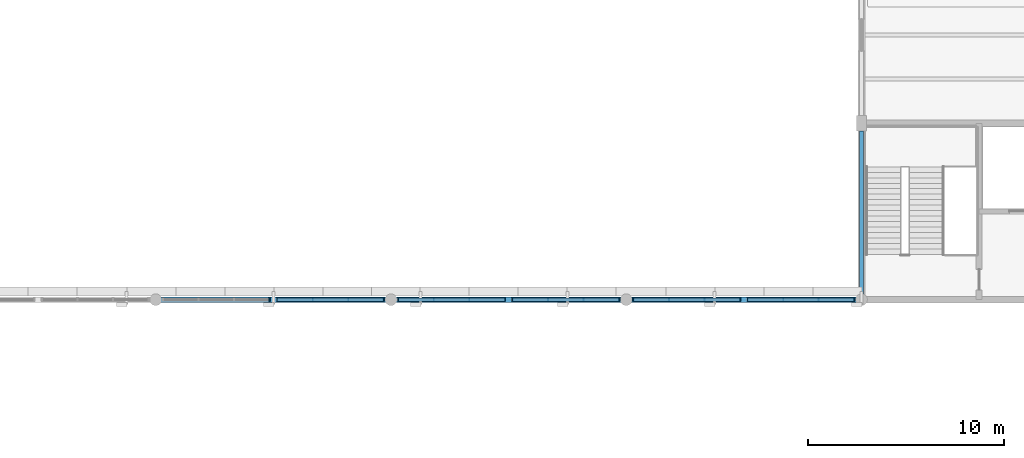
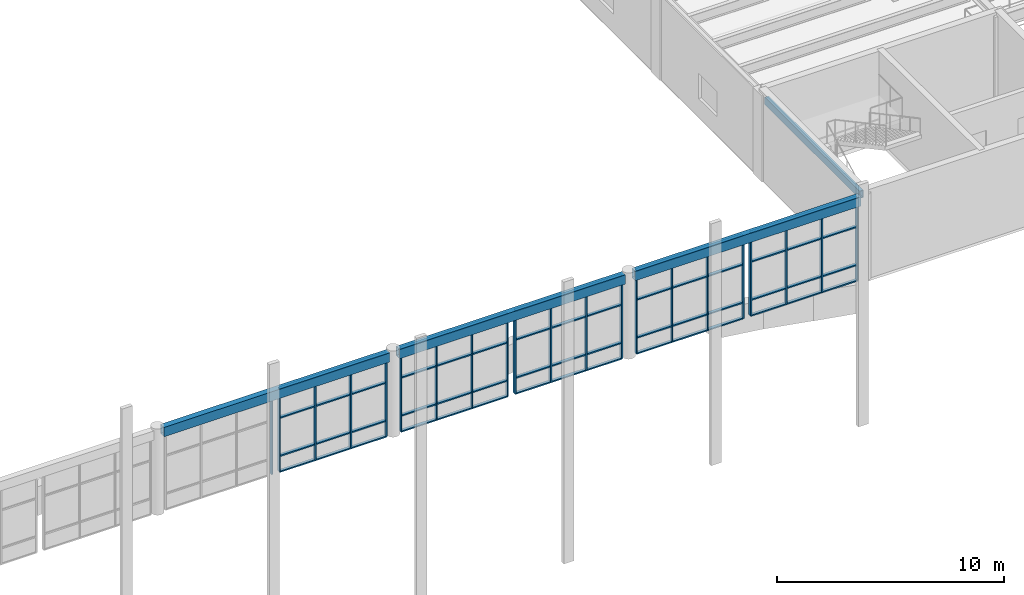
# One storey, part 21 of 63: 41 members, 4 beams, 6 elements without a shape of their own.
"""IFC4 building model written with IfcOpenShell, lengths in metres."""

from ifc_helpers import new_model, si_unit, direction, frame, origin, origin_2d, place, context, subcontext, project, spatial, rectangle, hollow_rectangle, extrude, material, layer, layer_set, material_profile, profile_set, type_object, element, aggregate, save


model = new_model("IFC4")

# Units and contexts
model_context = context("Model", 3, precision=1e-05, world=origin(), true_north=direction((0.0, 1.0)))
body_context = subcontext(model_context, "Body", "Model", "MODEL_VIEW")
ifc_project = project(units=[si_unit("LENGTHUNIT", "METRE"), si_unit("AREAUNIT", "SQUARE_METRE"), si_unit("VOLUMEUNIT", "CUBIC_METRE"), si_unit("PLANEANGLEUNIT", "RADIAN"), si_unit("MASSUNIT", "GRAM", prefix="KILO")], contexts=[model_context])

# Site, building, storey
site_placement = place(None, origin())
site = spatial("IfcSite", under=ifc_project, at=site_placement, CompositionType="ELEMENT")
building_placement = place(site_placement, origin())
building = spatial("IfcBuilding", under=site, at=building_placement, Name="Keelwater Ferry Terminal", CompositionType="ELEMENT")
storey_placement = place(building_placement, frame((0.0, 0.0, 10.199951171875)))
storey = spatial("IfcBuildingStorey", under=building, at=storey_placement, Name="L02", CompositionType="ELEMENT", Elevation=10.199951171875)

# Curtain wall, member
ifc_material_1 = material(Name="Thermally broken unitised aluminium and triple glass", Category="aluminium")
ifc_layer = layer(ifc_material_1, 0.179931640625)
ifc_layer_set = layer_set([ifc_layer], Name="Thermally broken unitised aluminium and triple glass")
curtain_wall_type = type_object("IfcCurtainWallType", Name="CW-07 Unitised Curtain Wall 5430x4450", PredefinedType="USERDEFINED", material=ifc_layer_set)
curtain_wall_1_placement = place(storey_placement, origin())
curtain_wall_1 = element("IfcCurtainWall", 1, at=curtain_wall_1_placement, inside=storey, type_object=curtain_wall_type, Name="Unitised Curtain Wall CW-L02-041", ObjectType="UNITISED CURTAIN WALL", PredefinedType="USERDEFINED")
ifc_material_2 = material(Name="Aluminium mullion", Category="aluminium")
ifc_material_profile_1 = material_profile(ifc_material_2, rectangle(XDim=0.06494140625, YDim=0.179931640625, at=origin_2d()), Name="CWM-01")
ifc_profile_set_1 = profile_set([ifc_material_profile_1], Name="Aluminium mullion")
member_type_1 = type_object("IfcMemberType", Name="CWM-01 Curtain Mullion 65x180", PredefinedType="MULLION", material=ifc_profile_set_1)
member_1_placement = place(storey_placement, frame((77.804931640625, 90.0, 0.0), z_axis=(0.0, 0.0, 1.0), x_axis=(1.0, 0.0, 0.0)))
member_1 = element("IfcMember", 2, at=member_1_placement, type_object=member_type_1, Name="CW-L02-041 Mullion 4", PredefinedType="MULLION", context=body_context, shape_type="SweptSolid", body=[
    extrude(rectangle(XDim=0.06494140625, YDim=0.179931640625, at=origin_2d()), origin(), (0.0, 0.0, 1.0), 4.449951171875),
])
aggregate(curtain_wall_1, [member_1])

# Curtain wall, members
curtain_wall_2_placement = place(storey_placement, origin())
curtain_wall_2 = element("IfcCurtainWall", 3, at=curtain_wall_2_placement, inside=storey, type_object=curtain_wall_type, Name="Unitised Curtain Wall CW-L02-042", ObjectType="UNITISED CURTAIN WALL", PredefinedType="USERDEFINED")
member_2_placement = place(storey_placement, frame((78.195068359375, 90.0, 0.0), z_axis=(0.0, 0.0, 1.0), x_axis=(1.0, 0.0, 0.0)))
member_2 = element("IfcMember", 4, at=member_2_placement, type_object=member_type_1, Name="CW-L02-042 Mullion 1", PredefinedType="MULLION", context=body_context, shape_type="SweptSolid", body=[
    extrude(rectangle(XDim=0.06494140625, YDim=0.179931640625, at=origin_2d()), origin(), (0.0, 0.0, 1.0), 4.449951171875),
])
member_3_placement = place(storey_placement, frame((80.0048828125, 90.0, 0.0), z_axis=(0.0, 0.0, 1.0), x_axis=(1.0, 0.0, 0.0)))
member_3 = element("IfcMember", 5, at=member_3_placement, type_object=member_type_1, Name="CW-L02-042 Mullion 2", PredefinedType="MULLION", context=body_context, shape_type="SweptSolid", body=[
    extrude(rectangle(XDim=0.06494140625, YDim=0.179931640625, at=origin_2d()), origin(), (0.0, 0.0, 1.0), 4.449951171875),
])
member_4_placement = place(storey_placement, frame((81.81494140625, 90.0, 0.0), z_axis=(0.0, 0.0, 1.0), x_axis=(1.0, 0.0, 0.0)))
member_4 = element("IfcMember", 6, at=member_4_placement, type_object=member_type_1, Name="CW-L02-042 Mullion 3", PredefinedType="MULLION", context=body_context, shape_type="SweptSolid", body=[
    extrude(rectangle(XDim=0.06494140625, YDim=0.179931640625, at=origin_2d()), origin(), (0.0, 0.0, 1.0), 4.449951171875),
])
member_5_placement = place(storey_placement, frame((83.625, 90.0, 0.0), z_axis=(0.0, 0.0, 1.0), x_axis=(1.0, 0.0, 0.0)))
member_5 = element("IfcMember", 7, at=member_5_placement, type_object=member_type_1, Name="CW-L02-042 Mullion 4", PredefinedType="MULLION", context=body_context, shape_type="SweptSolid", body=[
    extrude(rectangle(XDim=0.06494140625, YDim=0.179931640625, at=origin_2d()), origin(), (0.0, 0.0, 1.0), 4.449951171875),
])

curtain_wall_3_placement = place(storey_placement, origin())
curtain_wall_3 = element("IfcCurtainWall", 8, at=curtain_wall_3_placement, inside=storey, type_object=curtain_wall_type, Name="Unitised Curtain Wall CW-L02-043", ObjectType="UNITISED CURTAIN WALL", PredefinedType="USERDEFINED")
member_6_placement = place(storey_placement, frame((84.375, 90.0, 0.0), z_axis=(0.0, 0.0, 1.0), x_axis=(1.0, 0.0, 0.0)))
member_6 = element("IfcMember", 9, at=member_6_placement, type_object=member_type_1, Name="CW-L02-043 Mullion 1", PredefinedType="MULLION", context=body_context, shape_type="SweptSolid", body=[
    extrude(rectangle(XDim=0.06494140625, YDim=0.179931640625, at=origin_2d()), origin(), (0.0, 0.0, 1.0), 4.449951171875),
])
member_7_placement = place(storey_placement, frame((86.18505859375, 90.0, 0.0), z_axis=(0.0, 0.0, 1.0), x_axis=(1.0, 0.0, 0.0)))
member_7 = element("IfcMember", 10, at=member_7_placement, type_object=member_type_1, Name="CW-L02-043 Mullion 2", PredefinedType="MULLION", context=body_context, shape_type="SweptSolid", body=[
    extrude(rectangle(XDim=0.06494140625, YDim=0.179931640625, at=origin_2d()), origin(), (0.0, 0.0, 1.0), 4.449951171875),
])
member_8_placement = place(storey_placement, frame((87.9951171875, 90.0, 0.0), z_axis=(0.0, 0.0, 1.0), x_axis=(1.0, 0.0, 0.0)))
member_8 = element("IfcMember", 11, at=member_8_placement, type_object=member_type_1, Name="CW-L02-043 Mullion 3", PredefinedType="MULLION", context=body_context, shape_type="SweptSolid", body=[
    extrude(rectangle(XDim=0.06494140625, YDim=0.179931640625, at=origin_2d()), origin(), (0.0, 0.0, 1.0), 4.449951171875),
])
member_9_placement = place(storey_placement, frame((89.804931640625, 90.0, 0.0), z_axis=(0.0, 0.0, 1.0), x_axis=(1.0, 0.0, 0.0)))
member_9 = element("IfcMember", 12, at=member_9_placement, type_object=member_type_1, Name="CW-L02-043 Mullion 4", PredefinedType="MULLION", context=body_context, shape_type="SweptSolid", body=[
    extrude(rectangle(XDim=0.06494140625, YDim=0.179931640625, at=origin_2d()), origin(), (0.0, 0.0, 1.0), 4.449951171875),
])

curtain_wall_4_placement = place(storey_placement, origin())
curtain_wall_4 = element("IfcCurtainWall", 13, at=curtain_wall_4_placement, inside=storey, type_object=curtain_wall_type, Name="Unitised Curtain Wall CW-L02-044", ObjectType="UNITISED CURTAIN WALL", PredefinedType="USERDEFINED")
member_10_placement = place(storey_placement, frame((90.195068359375, 90.0, 0.0), z_axis=(0.0, 0.0, 1.0), x_axis=(1.0, 0.0, 0.0)))
member_10 = element("IfcMember", 14, at=member_10_placement, type_object=member_type_1, Name="CW-L02-044 Mullion 1", PredefinedType="MULLION", context=body_context, shape_type="SweptSolid", body=[
    extrude(rectangle(XDim=0.06494140625, YDim=0.179931640625, at=origin_2d()), origin(), (0.0, 0.0, 1.0), 4.449951171875),
])
member_11_placement = place(storey_placement, frame((92.0048828125, 90.0, 0.0), z_axis=(0.0, 0.0, 1.0), x_axis=(1.0, 0.0, 0.0)))
member_11 = element("IfcMember", 15, at=member_11_placement, type_object=member_type_1, Name="CW-L02-044 Mullion 2", PredefinedType="MULLION", context=body_context, shape_type="SweptSolid", body=[
    extrude(rectangle(XDim=0.06494140625, YDim=0.179931640625, at=origin_2d()), origin(), (0.0, 0.0, 1.0), 4.449951171875),
])
member_12_placement = place(storey_placement, frame((93.81494140625, 90.0, 0.0), z_axis=(0.0, 0.0, 1.0), x_axis=(1.0, 0.0, 0.0)))
member_12 = element("IfcMember", 16, at=member_12_placement, type_object=member_type_1, Name="CW-L02-044 Mullion 3", PredefinedType="MULLION", context=body_context, shape_type="SweptSolid", body=[
    extrude(rectangle(XDim=0.06494140625, YDim=0.179931640625, at=origin_2d()), origin(), (0.0, 0.0, 1.0), 4.449951171875),
])
member_13_placement = place(storey_placement, frame((95.625, 90.0, 0.0), z_axis=(0.0, 0.0, 1.0), x_axis=(1.0, 0.0, 0.0)))
member_13 = element("IfcMember", 17, at=member_13_placement, type_object=member_type_1, Name="CW-L02-044 Mullion 4", PredefinedType="MULLION", context=body_context, shape_type="SweptSolid", body=[
    extrude(rectangle(XDim=0.06494140625, YDim=0.179931640625, at=origin_2d()), origin(), (0.0, 0.0, 1.0), 4.449951171875),
])

curtain_wall_5_placement = place(storey_placement, origin())
curtain_wall_5 = element("IfcCurtainWall", 18, at=curtain_wall_5_placement, inside=storey, type_object=curtain_wall_type, Name="Unitised Curtain Wall CW-L02-045", ObjectType="UNITISED CURTAIN WALL", PredefinedType="USERDEFINED")
member_14_placement = place(storey_placement, frame((96.375, 90.0, 0.0), z_axis=(0.0, 0.0, 1.0), x_axis=(1.0, 0.0, 0.0)))
member_14 = element("IfcMember", 19, at=member_14_placement, type_object=member_type_1, Name="CW-L02-045 Mullion 1", PredefinedType="MULLION", context=body_context, shape_type="SweptSolid", body=[
    extrude(rectangle(XDim=0.06494140625, YDim=0.179931640625, at=origin_2d()), origin(), (0.0, 0.0, 1.0), 4.449951171875),
])
member_15_placement = place(storey_placement, frame((98.18505859375, 90.0, 0.0), z_axis=(0.0, 0.0, 1.0), x_axis=(1.0, 0.0, 0.0)))
member_15 = element("IfcMember", 20, at=member_15_placement, type_object=member_type_1, Name="CW-L02-045 Mullion 2", PredefinedType="MULLION", context=body_context, shape_type="SweptSolid", body=[
    extrude(rectangle(XDim=0.06494140625, YDim=0.179931640625, at=origin_2d()), origin(), (0.0, 0.0, 1.0), 4.449951171875),
])
member_16_placement = place(storey_placement, frame((99.9951171875, 90.0, 0.0), z_axis=(0.0, 0.0, 1.0), x_axis=(1.0, 0.0, 0.0)))
member_16 = element("IfcMember", 21, at=member_16_placement, type_object=member_type_1, Name="CW-L02-045 Mullion 3", PredefinedType="MULLION", context=body_context, shape_type="SweptSolid", body=[
    extrude(rectangle(XDim=0.06494140625, YDim=0.179931640625, at=origin_2d()), origin(), (0.0, 0.0, 1.0), 4.449951171875),
])
member_17_placement = place(storey_placement, frame((101.804931640625, 90.0, 0.0), z_axis=(0.0, 0.0, 1.0), x_axis=(1.0, 0.0, 0.0)))
member_17 = element("IfcMember", 22, at=member_17_placement, type_object=member_type_1, Name="CW-L02-045 Mullion 4", PredefinedType="MULLION", context=body_context, shape_type="SweptSolid", body=[
    extrude(rectangle(XDim=0.06494140625, YDim=0.179931640625, at=origin_2d()), origin(), (0.0, 0.0, 1.0), 4.449951171875),
])

curtain_wall_6_placement = place(storey_placement, origin())
curtain_wall_6 = element("IfcCurtainWall", 23, at=curtain_wall_6_placement, inside=storey, type_object=curtain_wall_type, Name="Unitised Curtain Wall CW-L02-046", ObjectType="UNITISED CURTAIN WALL", PredefinedType="USERDEFINED")
member_18_placement = place(storey_placement, frame((102.195068359375, 90.0, 0.0), z_axis=(0.0, 0.0, 1.0), x_axis=(1.0, 0.0, 0.0)))
member_18 = element("IfcMember", 24, at=member_18_placement, type_object=member_type_1, Name="CW-L02-046 Mullion 1", PredefinedType="MULLION", context=body_context, shape_type="SweptSolid", body=[
    extrude(rectangle(XDim=0.06494140625, YDim=0.179931640625, at=origin_2d()), origin(), (0.0, 0.0, 1.0), 4.449951171875),
])
member_19_placement = place(storey_placement, frame((104.0048828125, 90.0, 0.0), z_axis=(0.0, 0.0, 1.0), x_axis=(1.0, 0.0, 0.0)))
member_19 = element("IfcMember", 25, at=member_19_placement, type_object=member_type_1, Name="CW-L02-046 Mullion 2", PredefinedType="MULLION", context=body_context, shape_type="SweptSolid", body=[
    extrude(rectangle(XDim=0.06494140625, YDim=0.179931640625, at=origin_2d()), origin(), (0.0, 0.0, 1.0), 4.449951171875),
])
member_20_placement = place(storey_placement, frame((105.81494140625, 90.0, 0.0), z_axis=(0.0, 0.0, 1.0), x_axis=(1.0, 0.0, 0.0)))
member_20 = element("IfcMember", 26, at=member_20_placement, type_object=member_type_1, Name="CW-L02-046 Mullion 3", PredefinedType="MULLION", context=body_context, shape_type="SweptSolid", body=[
    extrude(rectangle(XDim=0.06494140625, YDim=0.179931640625, at=origin_2d()), origin(), (0.0, 0.0, 1.0), 4.449951171875),
])
member_21_placement = place(storey_placement, frame((107.625, 90.0, 0.0), z_axis=(0.0, 0.0, 1.0), x_axis=(1.0, 0.0, 0.0)))
member_21 = element("IfcMember", 27, at=member_21_placement, type_object=member_type_1, Name="CW-L02-046 Mullion 4", PredefinedType="MULLION", context=body_context, shape_type="SweptSolid", body=[
    extrude(rectangle(XDim=0.06494140625, YDim=0.179931640625, at=origin_2d()), origin(), (0.0, 0.0, 1.0), 4.449951171875),
])

# Member
ifc_material_3 = material(Name="Aluminium mullion", Category="aluminium")
ifc_material_profile_2 = material_profile(ifc_material_3, rectangle(XDim=0.159912109375, YDim=0.06494140625, at=origin_2d()), Name="CWT-01")
ifc_profile_set_2 = profile_set([ifc_material_profile_2], Name="Aluminium mullion")
member_type_2 = type_object("IfcMemberType", Name="CWT-01 Curtain Transom 65x160", PredefinedType="USERDEFINED", material=ifc_profile_set_2)
member_22_placement = place(storey_placement, frame((78.195068359375, 90.0, 0.0), z_axis=(1.0, 0.0, 0.0), x_axis=(0.0, 1.0, 0.0)))
member_22 = element("IfcMember", 28, at=member_22_placement, type_object=member_type_2, Name="CW-L02-042 Transom 1", ObjectType="TRANSOM", PredefinedType="USERDEFINED", context=body_context, shape_type="SweptSolid", body=[
    extrude(rectangle(XDim=0.159912109375, YDim=0.06494140625, at=origin_2d()), origin(), (0.0, 0.0, 1.0), 5.429931640625),
])

member_23_placement = place(storey_placement, frame((78.195068359375, 90.0, 0.85009765625), z_axis=(1.0, 0.0, 0.0), x_axis=(0.0, 1.0, 0.0)))
member_23 = element("IfcMember", 29, at=member_23_placement, type_object=member_type_2, Name="CW-L02-042 Transom 2", ObjectType="TRANSOM", PredefinedType="USERDEFINED", context=body_context, shape_type="SweptSolid", body=[
    extrude(rectangle(XDim=0.159912109375, YDim=0.06494140625, at=origin_2d()), origin(), (0.0, 0.0, 1.0), 5.429931640625),
])

member_24_placement = place(storey_placement, frame((78.195068359375, 90.0, 2.900146484375), z_axis=(1.0, 0.0, 0.0), x_axis=(0.0, 1.0, 0.0)))
member_24 = element("IfcMember", 30, at=member_24_placement, type_object=member_type_2, Name="CW-L02-042 Transom 3", ObjectType="TRANSOM", PredefinedType="USERDEFINED", context=body_context, shape_type="SweptSolid", body=[
    extrude(rectangle(XDim=0.159912109375, YDim=0.06494140625, at=origin_2d()), origin(), (0.0, 0.0, 1.0), 5.429931640625),
])

member_25_placement = place(storey_placement, frame((78.195068359375, 90.0, 4.449951171875), z_axis=(1.0, 0.0, 0.0), x_axis=(0.0, 1.0, 0.0)))
member_25 = element("IfcMember", 31, at=member_25_placement, type_object=member_type_2, Name="CW-L02-042 Transom 4", ObjectType="TRANSOM", PredefinedType="USERDEFINED", context=body_context, shape_type="SweptSolid", body=[
    extrude(rectangle(XDim=0.159912109375, YDim=0.06494140625, at=origin_2d()), origin(), (0.0, 0.0, 1.0), 5.429931640625),
])

aggregate(curtain_wall_2, [member_2, member_3, member_4, member_5, member_22, member_23, member_24, member_25])

member_26_placement = place(storey_placement, frame((84.375, 90.0, 0.0), z_axis=(1.0, 0.0, 0.0), x_axis=(0.0, 1.0, 0.0)))
member_26 = element("IfcMember", 32, at=member_26_placement, type_object=member_type_2, Name="CW-L02-043 Transom 1", ObjectType="TRANSOM", PredefinedType="USERDEFINED", context=body_context, shape_type="SweptSolid", body=[
    extrude(rectangle(XDim=0.159912109375, YDim=0.06494140625, at=origin_2d()), origin(), (0.0, 0.0, 1.0), 5.429931640625),
])

member_27_placement = place(storey_placement, frame((84.375, 90.0, 0.85009765625), z_axis=(1.0, 0.0, 0.0), x_axis=(0.0, 1.0, 0.0)))
member_27 = element("IfcMember", 33, at=member_27_placement, type_object=member_type_2, Name="CW-L02-043 Transom 2", ObjectType="TRANSOM", PredefinedType="USERDEFINED", context=body_context, shape_type="SweptSolid", body=[
    extrude(rectangle(XDim=0.159912109375, YDim=0.06494140625, at=origin_2d()), origin(), (0.0, 0.0, 1.0), 5.429931640625),
])

member_28_placement = place(storey_placement, frame((84.375, 90.0, 2.900146484375), z_axis=(1.0, 0.0, 0.0), x_axis=(0.0, 1.0, 0.0)))
member_28 = element("IfcMember", 34, at=member_28_placement, type_object=member_type_2, Name="CW-L02-043 Transom 3", ObjectType="TRANSOM", PredefinedType="USERDEFINED", context=body_context, shape_type="SweptSolid", body=[
    extrude(rectangle(XDim=0.159912109375, YDim=0.06494140625, at=origin_2d()), origin(), (0.0, 0.0, 1.0), 5.429931640625),
])

member_29_placement = place(storey_placement, frame((84.375, 90.0, 4.449951171875), z_axis=(1.0, 0.0, 0.0), x_axis=(0.0, 1.0, 0.0)))
member_29 = element("IfcMember", 35, at=member_29_placement, type_object=member_type_2, Name="CW-L02-043 Transom 4", ObjectType="TRANSOM", PredefinedType="USERDEFINED", context=body_context, shape_type="SweptSolid", body=[
    extrude(rectangle(XDim=0.159912109375, YDim=0.06494140625, at=origin_2d()), origin(), (0.0, 0.0, 1.0), 5.429931640625),
])

aggregate(curtain_wall_3, [member_6, member_7, member_8, member_9, member_26, member_27, member_28, member_29])

member_30_placement = place(storey_placement, frame((90.195068359375, 90.0, 0.0), z_axis=(1.0, 0.0, 0.0), x_axis=(0.0, 1.0, 0.0)))
member_30 = element("IfcMember", 36, at=member_30_placement, type_object=member_type_2, Name="CW-L02-044 Transom 1", ObjectType="TRANSOM", PredefinedType="USERDEFINED", context=body_context, shape_type="SweptSolid", body=[
    extrude(rectangle(XDim=0.159912109375, YDim=0.06494140625, at=origin_2d()), origin(), (0.0, 0.0, 1.0), 5.429931640625),
])

member_31_placement = place(storey_placement, frame((90.195068359375, 90.0, 0.85009765625), z_axis=(1.0, 0.0, 0.0), x_axis=(0.0, 1.0, 0.0)))
member_31 = element("IfcMember", 37, at=member_31_placement, type_object=member_type_2, Name="CW-L02-044 Transom 2", ObjectType="TRANSOM", PredefinedType="USERDEFINED", context=body_context, shape_type="SweptSolid", body=[
    extrude(rectangle(XDim=0.159912109375, YDim=0.06494140625, at=origin_2d()), origin(), (0.0, 0.0, 1.0), 5.429931640625),
])

member_32_placement = place(storey_placement, frame((90.195068359375, 90.0, 2.900146484375), z_axis=(1.0, 0.0, 0.0), x_axis=(0.0, 1.0, 0.0)))
member_32 = element("IfcMember", 38, at=member_32_placement, type_object=member_type_2, Name="CW-L02-044 Transom 3", ObjectType="TRANSOM", PredefinedType="USERDEFINED", context=body_context, shape_type="SweptSolid", body=[
    extrude(rectangle(XDim=0.159912109375, YDim=0.06494140625, at=origin_2d()), origin(), (0.0, 0.0, 1.0), 5.429931640625),
])

member_33_placement = place(storey_placement, frame((90.195068359375, 90.0, 4.449951171875), z_axis=(1.0, 0.0, 0.0), x_axis=(0.0, 1.0, 0.0)))
member_33 = element("IfcMember", 39, at=member_33_placement, type_object=member_type_2, Name="CW-L02-044 Transom 4", ObjectType="TRANSOM", PredefinedType="USERDEFINED", context=body_context, shape_type="SweptSolid", body=[
    extrude(rectangle(XDim=0.159912109375, YDim=0.06494140625, at=origin_2d()), origin(), (0.0, 0.0, 1.0), 5.429931640625),
])

aggregate(curtain_wall_4, [member_10, member_11, member_12, member_13, member_30, member_31, member_32, member_33])

member_34_placement = place(storey_placement, frame((96.375, 90.0, 0.0), z_axis=(1.0, 0.0, 0.0), x_axis=(0.0, 1.0, 0.0)))
member_34 = element("IfcMember", 40, at=member_34_placement, type_object=member_type_2, Name="CW-L02-045 Transom 1", ObjectType="TRANSOM", PredefinedType="USERDEFINED", context=body_context, shape_type="SweptSolid", body=[
    extrude(rectangle(XDim=0.159912109375, YDim=0.06494140625, at=origin_2d()), origin(), (0.0, 0.0, 1.0), 5.429931640625),
])

member_35_placement = place(storey_placement, frame((96.375, 90.0, 0.85009765625), z_axis=(1.0, 0.0, 0.0), x_axis=(0.0, 1.0, 0.0)))
member_35 = element("IfcMember", 41, at=member_35_placement, type_object=member_type_2, Name="CW-L02-045 Transom 2", ObjectType="TRANSOM", PredefinedType="USERDEFINED", context=body_context, shape_type="SweptSolid", body=[
    extrude(rectangle(XDim=0.159912109375, YDim=0.06494140625, at=origin_2d()), origin(), (0.0, 0.0, 1.0), 5.429931640625),
])

member_36_placement = place(storey_placement, frame((96.375, 90.0, 2.900146484375), z_axis=(1.0, 0.0, 0.0), x_axis=(0.0, 1.0, 0.0)))
member_36 = element("IfcMember", 42, at=member_36_placement, type_object=member_type_2, Name="CW-L02-045 Transom 3", ObjectType="TRANSOM", PredefinedType="USERDEFINED", context=body_context, shape_type="SweptSolid", body=[
    extrude(rectangle(XDim=0.159912109375, YDim=0.06494140625, at=origin_2d()), origin(), (0.0, 0.0, 1.0), 5.429931640625),
])

member_37_placement = place(storey_placement, frame((96.375, 90.0, 4.449951171875), z_axis=(1.0, 0.0, 0.0), x_axis=(0.0, 1.0, 0.0)))
member_37 = element("IfcMember", 43, at=member_37_placement, type_object=member_type_2, Name="CW-L02-045 Transom 4", ObjectType="TRANSOM", PredefinedType="USERDEFINED", context=body_context, shape_type="SweptSolid", body=[
    extrude(rectangle(XDim=0.159912109375, YDim=0.06494140625, at=origin_2d()), origin(), (0.0, 0.0, 1.0), 5.429931640625),
])

aggregate(curtain_wall_5, [member_14, member_15, member_16, member_17, member_34, member_35, member_36, member_37])

member_38_placement = place(storey_placement, frame((102.195068359375, 90.0, 0.0), z_axis=(1.0, 0.0, 0.0), x_axis=(0.0, 1.0, 0.0)))
member_38 = element("IfcMember", 44, at=member_38_placement, type_object=member_type_2, Name="CW-L02-046 Transom 1", ObjectType="TRANSOM", PredefinedType="USERDEFINED", context=body_context, shape_type="SweptSolid", body=[
    extrude(rectangle(XDim=0.159912109375, YDim=0.06494140625, at=origin_2d()), origin(), (0.0, 0.0, 1.0), 5.429931640625),
])

member_39_placement = place(storey_placement, frame((102.195068359375, 90.0, 0.85009765625), z_axis=(1.0, 0.0, 0.0), x_axis=(0.0, 1.0, 0.0)))
member_39 = element("IfcMember", 45, at=member_39_placement, type_object=member_type_2, Name="CW-L02-046 Transom 2", ObjectType="TRANSOM", PredefinedType="USERDEFINED", context=body_context, shape_type="SweptSolid", body=[
    extrude(rectangle(XDim=0.159912109375, YDim=0.06494140625, at=origin_2d()), origin(), (0.0, 0.0, 1.0), 5.429931640625),
])

member_40_placement = place(storey_placement, frame((102.195068359375, 90.0, 2.900146484375), z_axis=(1.0, 0.0, 0.0), x_axis=(0.0, 1.0, 0.0)))
member_40 = element("IfcMember", 46, at=member_40_placement, type_object=member_type_2, Name="CW-L02-046 Transom 3", ObjectType="TRANSOM", PredefinedType="USERDEFINED", context=body_context, shape_type="SweptSolid", body=[
    extrude(rectangle(XDim=0.159912109375, YDim=0.06494140625, at=origin_2d()), origin(), (0.0, 0.0, 1.0), 5.429931640625),
])

member_41_placement = place(storey_placement, frame((102.195068359375, 90.0, 4.449951171875), z_axis=(1.0, 0.0, 0.0), x_axis=(0.0, 1.0, 0.0)))
member_41 = element("IfcMember", 47, at=member_41_placement, type_object=member_type_2, Name="CW-L02-046 Transom 4", ObjectType="TRANSOM", PredefinedType="USERDEFINED", context=body_context, shape_type="SweptSolid", body=[
    extrude(rectangle(XDim=0.159912109375, YDim=0.06494140625, at=origin_2d()), origin(), (0.0, 0.0, 1.0), 5.429931640625),
])

aggregate(curtain_wall_6, [member_18, member_19, member_20, member_21, member_38, member_39, member_40, member_41])

# Beams
ifc_material_4 = material(Name="Steel S355", Category="steel")
ifc_material_profile_3 = material_profile(ifc_material_4, hollow_rectangle(XDim=0.300048828125, YDim=0.5, WallThickness=0.02001953125, at=origin_2d()), Name="RHS 500x300x20")
ifc_profile_set_3 = profile_set([ifc_material_profile_3], Name="Steel S355")
beam_type_1 = type_object("IfcBeamType", Name="RB1E RHS 500x300x20", PredefinedType="SPANDREL", material=ifc_profile_set_3)
for number, where, z_axis, x_axis, name in (
    (48, (72.24609375, 90.0, 4.27001953125), (1.0, 0.0, 0.0), (0.0, 1.0, 0.0), "Beam BM-L02-1034"),
    (49, (84.24609375, 90.0, 4.27001953125), (1.0, 0.0, 0.0), (0.0, 1.0, 0.0), "Beam BM-L02-1035"),
    (50, (96.24609375, 90.0, 4.27001953125), (1.0, 0.0, 0.0), (0.0, 1.0, 0.0), "Beam BM-L02-1036"),
):
    element("IfcBeam", number, at=place(storey_placement, frame(where, z_axis=z_axis, x_axis=x_axis)), inside=storey, type_object=beam_type_1, Name=name, PredefinedType="SPANDREL", context=body_context, shape_type="SweptSolid", body=[
        extrude(hollow_rectangle(XDim=0.300048828125, YDim=0.5, WallThickness=0.02001953125, at=origin_2d()), origin(), (0.0, 0.0, 1.0), 11.5078125),
    ])
ifc_material_5 = material(Name="Steel S355", Category="steel")
ifc_material_profile_4 = material_profile(ifc_material_5, hollow_rectangle(XDim=0.199951171875, YDim=0.39990234375, WallThickness=0.01611328125, at=origin_2d()), Name="RHS 400x200x16")
ifc_profile_set_4 = profile_set([ifc_material_profile_4], Name="Steel S355")
beam_type_2 = type_object("IfcBeamType", Name="SP3E RHS 400x200x16", PredefinedType="SPANDREL", material=ifc_profile_set_4)
beam_placement = place(storey_placement, frame((108.0, 90.24609375, 4.320068359375), z_axis=(0.0, 1.0, 0.0), x_axis=(-1.0, 0.0, 0.0)))
element("IfcBeam", 51, at=beam_placement, inside=storey, type_object=beam_type_2, Name="Beam BM-L02-1092", PredefinedType="SPANDREL", context=body_context, shape_type="SweptSolid", body=[
    extrude(hollow_rectangle(XDim=0.199951171875, YDim=0.39990234375, WallThickness=0.01611328125, at=origin_2d()), origin(), (0.0, 0.0, 1.0), 8.36181640625),
])

save(model, "model.ifc")
